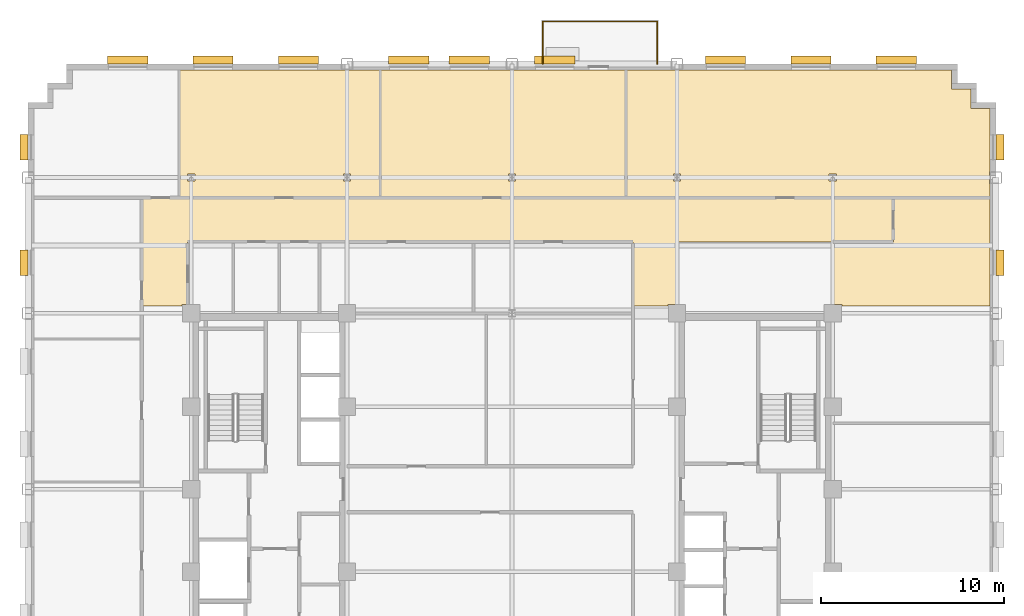
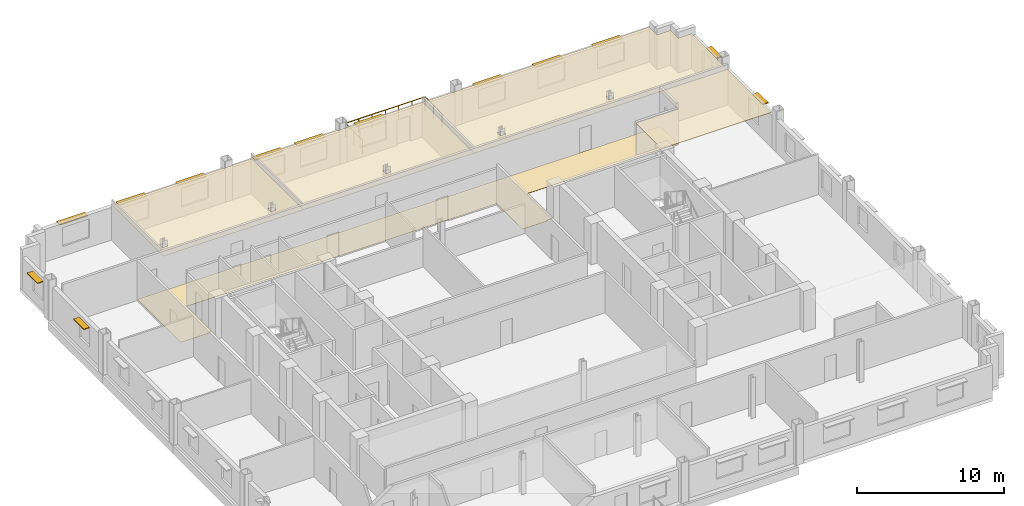
# One storey, part 14 of 14: 13 shading devices, 5 coverings, 1 railing.
"""IFC4 building model written with IfcOpenShell, lengths in metres."""

from ifc_helpers import new_model, si_unit, direction, frame, origin, origin_2d, place, context, subcontext, project, spatial, polyline, rectangle, circle, outline, extrude, source, transform, mapped, material, layer, layer_set, type_object, type_shapes, element, save


model = new_model("IFC4")

# Units and contexts
model_context = context("Model", 3, precision=1e-05, world=origin(), true_north=direction((0.0, 1.0)))
body_context = subcontext(model_context, "Body", "Model", "MODEL_VIEW")
ifc_project = project(units=[si_unit("LENGTHUNIT", "METRE"), si_unit("AREAUNIT", "SQUARE_METRE"), si_unit("VOLUMEUNIT", "CUBIC_METRE"), si_unit("PLANEANGLEUNIT", "RADIAN"), si_unit("MASSUNIT", "GRAM", prefix="KILO")], contexts=[model_context])

# Site, building, storey
site_placement = place(None, origin())
site = spatial("IfcSite", under=ifc_project, at=site_placement, CompositionType="ELEMENT")
building_placement = place(site_placement, origin())
building = spatial("IfcBuilding", under=site, at=building_placement, Name="Nuvemarco Arch Tower", CompositionType="ELEMENT")
storey_placement = place(building_placement, frame((0.0, 0.0, 160.35009765625)))
storey = spatial("IfcBuildingStorey", under=building, at=storey_placement, Name="L42", CompositionType="ELEMENT", Elevation=160.35009765625)

# Coverings
ifc_material_1 = material(Name="Mineral acoustic ceiling tile")
ifc_layer_1 = layer(ifc_material_1, 0.0400390625, Name="COV-ACOUSTIC-CLG")
ifc_layer_set_1 = layer_set([ifc_layer_1], Name="Mineral acoustic ceiling tile")
covering_type_1 = type_object("IfcCoveringType", Name="COV-ACOUSTIC-CLG", PredefinedType="CEILING", material=ifc_layer_set_1)
covering_1_placement = place(storey_placement, frame((0.0, 0.0, 2.849853515625)))
element("IfcCovering", 1, at=covering_1_placement, inside=storey, type_object=covering_type_1, Name="L42 suspended acoustic ceiling 2", PredefinedType="CEILING", context=body_context, shape_type="SweptSolid", body=[
    extrude(outline(polyline([(26.080078125, 20.780029296875), (26.080078125, 17.340087890625), (26.06005859375, 17.340087890625), (26.06005859375, 16.659912109375), (26.080078125, 16.659912109375), (26.080078125, 15.89990234375), (20.800048828125, 15.89990234375), (9.0, 15.89990234375), (6.60009765625, 15.89990234375), (6.22998046875, 15.89990234375), (6.22998046875, 22.8798828125), (8.659912109375, 22.8798828125), (8.659912109375, 22.860107421875), (9.340087890625, 22.860107421875), (9.340087890625, 22.8798828125), (23.97998046875, 22.8798828125), (23.97998046875, 21.830078125), (25.030029296875, 21.830078125), (25.030029296875, 20.780029296875), (26.080078125, 20.780029296875)]), holes=[polyline([(9.195068359375, 17.195068359375), (8.804931640625, 17.195068359375), (8.804931640625, 16.804931640625), (9.195068359375, 16.804931640625), (9.195068359375, 17.195068359375)]), polyline([(17.695068359375, 16.804931640625), (17.695068359375, 17.195068359375), (17.304931640625, 17.195068359375), (17.304931640625, 16.804931640625), (17.695068359375, 16.804931640625)])]), origin(), (0.0, 0.0, 1.0), 0.0400390625),
])
covering_2_placement = place(storey_placement, frame((0.0, 0.0, 2.849853515625)))
element("IfcCovering", 2, at=covering_2_placement, inside=storey, type_object=covering_type_1, Name="L42 suspended acoustic ceiling 3", PredefinedType="CEILING", context=body_context, shape_type="SweptSolid", body=[
    extrude(outline(polyline([(17.989990234375, 10.090087890625), (17.5, 10.090087890625), (17.5, 13.5), (20.800048828125, 13.5), (20.800048828125, 15.89990234375), (26.080078125, 15.89990234375), (26.080078125, 10.0), (17.989990234375, 10.0), (17.989990234375, 10.090087890625)])), origin(), (0.0, 0.0, 1.0), 0.0400390625),
])
covering_3_placement = place(storey_placement, frame((0.0, 0.0, 2.849853515625)))
element("IfcCovering", 3, at=covering_3_placement, inside=storey, type_object=covering_type_1, Name="L42 suspended acoustic ceiling 5", PredefinedType="CEILING", context=body_context, shape_type="SweptSolid", body=[
    extrude(outline(polyline([(6.22998046875, 15.89990234375), (-7.179931640625, 15.89990234375), (-7.179931640625, 22.8798828125), (-0.340087890625, 22.8798828125), (-0.340087890625, 22.860107421875), (0.340087890625, 22.860107421875), (0.340087890625, 22.8798828125), (6.22998046875, 22.8798828125), (6.22998046875, 15.89990234375)]), holes=[polyline([(0.195068359375, 16.804931640625), (0.195068359375, 17.195068359375), (-0.195068359375, 17.195068359375), (-0.195068359375, 16.804931640625), (0.195068359375, 16.804931640625)])]), origin(), (0.0, 0.0, 1.0), 0.0400390625),
])
covering_4_placement = place(storey_placement, frame((0.0, 0.0, 2.849853515625)))
element("IfcCovering", 4, at=covering_4_placement, inside=storey, type_object=covering_type_1, Name="L42 suspended acoustic ceiling 6", PredefinedType="CEILING", context=body_context, shape_type="SweptSolid", body=[
    extrude(outline(polyline([(-9.340087890625, 22.860107421875), (-8.659912109375, 22.860107421875), (-8.659912109375, 22.8798828125), (-7.179931640625, 22.8798828125), (-7.179931640625, 15.89990234375), (-17.699951171875, 15.89990234375), (-18.14990234375, 15.89990234375), (-18.14990234375, 22.8798828125), (-9.340087890625, 22.8798828125), (-9.340087890625, 22.860107421875)]), holes=[polyline([(-17.304931640625, 16.804931640625), (-17.304931640625, 17.195068359375), (-17.695068359375, 17.195068359375), (-17.695068359375, 16.804931640625), (-17.304931640625, 16.804931640625)]), polyline([(-8.804931640625, 16.804931640625), (-8.804931640625, 17.195068359375), (-9.195068359375, 17.195068359375), (-9.195068359375, 16.804931640625), (-8.804931640625, 16.804931640625)])]), origin(), (0.0, 0.0, 1.0), 0.0400390625),
])
ifc_material_2 = material(Name="Polished granite terrazzostone flooring", Category="masonry")
ifc_layer_2 = layer(ifc_material_2, 0.02001953125, Name="COV-LOBBY-FLR")
ifc_layer_set_2 = layer_set([ifc_layer_2], Name="Polished granite terrazzostone flooring")
covering_type_2 = type_object("IfcCoveringType", Name="COV-LOBBY-FLR", PredefinedType="FLOORING", material=ifc_layer_set_2)
covering_5_placement = place(storey_placement, origin())
element("IfcCovering", 5, at=covering_5_placement, inside=storey, type_object=covering_type_2, Name="L42 polished terrazzo lobby flooring", PredefinedType="FLOORING", context=body_context, shape_type="SweptSolid", body=[
    extrude(outline(polyline([(-20.199951171875, 13.5), (-20.199951171875, 15.89990234375), (-17.699951171875, 15.89990234375), (6.60009765625, 15.89990234375), (9.0, 15.89990234375), (20.800048828125, 15.89990234375), (20.800048828125, 13.5), (9.0, 13.5), (9.0, 10.090087890625), (8.510009765625, 10.090087890625), (8.510009765625, 10.0), (6.60009765625, 10.0), (6.60009765625, 13.5), (-17.699951171875, 13.5), (-17.699951171875, 10.090087890625), (-17.989990234375, 10.090087890625), (-17.989990234375, 10.0), (-20.199951171875, 10.0), (-20.199951171875, 13.5)])), origin(), (0.0, 0.0, 1.0), 0.02001953125),
])

# Railing
ifc_material_3 = material(Name="Dark anodised balustrade steel S355", Category="steel")
railing_type = type_object("IfcRailingType", Name="RL-TERR-GUARD", PredefinedType="BALUSTRADE", material=ifc_material_3)
railing_placement = place(storey_placement, frame((1.679931640625, 23.199951171875, 0.0)))
element("IfcRailing", 6, at=railing_placement, inside=storey, type_object=railing_type, Name="L42 spiral terrace perimeter balustrade guard", PredefinedType="BALUSTRADE", context=body_context, shape_type="SweptSolid", body=[
    extrude(circle(Radius=0.02392578125, at=origin_2d()), frame((0.0, 0.0, 1.1259765625), z_axis=(0.0, 1.0, 0.0), x_axis=(-1.0, 0.0, 0.0)), (0.0, 0.0, 1.0), 2.320068359375),
    extrude(circle(Radius=0.02392578125, at=origin_2d()), frame((0.0, 2.320068359375, 1.1259765625), z_axis=(1.0, 0.0, 0.0), x_axis=(0.0, 1.0, 0.0)), (0.0, 0.0, 1.0), 6.239990234375),
    extrude(circle(Radius=0.02392578125, at=origin_2d()), frame((6.239990234375, 2.320068359375, 1.1259765625), z_axis=(0.0, -1.0, 0.0), x_axis=(1.0, 0.0, 0.0)), (0.0, 0.0, 1.0), 2.320068359375),
    extrude(circle(Radius=0.02099609375, at=origin_2d()), origin(), (0.0, 0.0, 1.0), 1.101806640625),
    extrude(circle(Radius=0.02099609375, at=origin_2d()), frame((0.0, 1.16015625, 0.0)), (0.0, 0.0, 1.0), 1.101806640625),
    extrude(circle(Radius=0.02099609375, at=origin_2d()), frame((0.0, 2.320068359375, 0.0)), (0.0, 0.0, 1.0), 1.101806640625),
    extrude(circle(Radius=0.02099609375, at=origin_2d()), frame((1.0400390625, 2.320068359375, 0.0)), (0.0, 0.0, 1.0), 1.101806640625),
    extrude(circle(Radius=0.02099609375, at=origin_2d()), frame((2.080078125, 2.320068359375, 0.0)), (0.0, 0.0, 1.0), 1.101806640625),
    extrude(circle(Radius=0.02099609375, at=origin_2d()), frame((3.1201171875, 2.320068359375, 0.0)), (0.0, 0.0, 1.0), 1.101806640625),
    extrude(circle(Radius=0.02099609375, at=origin_2d()), frame((4.159912109375, 2.320068359375, 0.0)), (0.0, 0.0, 1.0), 1.101806640625),
    extrude(circle(Radius=0.02099609375, at=origin_2d()), frame((5.199951171875, 2.320068359375, 0.0)), (0.0, 0.0, 1.0), 1.101806640625),
    extrude(circle(Radius=0.02099609375, at=origin_2d()), frame((6.239990234375, 2.320068359375, 0.0)), (0.0, 0.0, 1.0), 1.101806640625),
    extrude(circle(Radius=0.02099609375, at=origin_2d()), frame((6.239990234375, 1.16015625, 0.0)), (0.0, 0.0, 1.0), 1.101806640625),
    extrude(circle(Radius=0.02099609375, at=origin_2d()), frame((6.239990234375, 0.0, 0.0)), (0.0, 0.0, 1.0), 1.101806640625),
])

# Shading devices
ifc_material_4 = material(Name="Anodised aluminium 6063-T6", Category="aluminium")
shading_device_type_1 = type_object("IfcShadingDeviceType", Name="SHD-BRISE-SOLEIL", PredefinedType="USERDEFINED", material=ifc_material_4)
shared_shape_1 = source(origin(), body_context, "Body", "SweptSolid", [
    extrude(rectangle(XDim=2.199951171875, YDim=0.449951171875, at=origin_2d()), origin(), (0.0, 0.0, 1.0), 0.080078125),
])
type_shapes(shading_device_type_1, [shared_shape_1])
for number, where, z_axis, x_axis, name in (
    (7, (-20.969970703125, 23.4150390625, 2.36474609375), (0.0, 0.0, 1.0), (1.0, 0.0, 0.0), "L42 horizontal brise-soleil sunshade"),
    (8, (-16.31005859375, 23.4150390625, 2.36474609375), (0.0, 0.0, 1.0), (1.0, 0.0, 0.0), "L42 horizontal brise-soleil sunshade"),
    (9, (-11.64990234375, 23.4150390625, 2.36474609375), (0.0, 0.0, 1.0), (1.0, 0.0, 0.0), "L42 horizontal brise-soleil sunshade"),
    (10, (-5.639892578125, 23.4150390625, 2.36474609375), (0.0, 0.0, 1.0), (1.0, 0.0, 0.0), "L42 horizontal brise-soleil sunshade"),
    (11, (-2.330078125, 23.4150390625, 2.36474609375), (0.0, 0.0, 1.0), (1.0, 0.0, 0.0), "L42 horizontal brise-soleil sunshade"),
    (12, (2.330078125, 23.4150390625, 2.36474609375), (0.0, 0.0, 1.0), (1.0, 0.0, 0.0), "L42 horizontal brise-soleil sunshade"),
    (13, (11.64990234375, 23.4150390625, 2.36474609375), (0.0, 0.0, 1.0), (1.0, 0.0, 0.0), "L42 horizontal brise-soleil sunshade"),
    (14, (16.31005859375, 23.4150390625, 2.36474609375), (0.0, 0.0, 1.0), (1.0, 0.0, 0.0), "L42 horizontal brise-soleil sunshade"),
    (15, (20.969970703125, 23.4150390625, 2.36474609375), (0.0, 0.0, 1.0), (1.0, 0.0, 0.0), "L42 horizontal brise-soleil sunshade"),
):
    element("IfcShadingDevice", number, at=place(storey_placement, frame(where, z_axis=z_axis, x_axis=x_axis)), inside=storey, type_object=shading_device_type_1, Name=name, ObjectType="SUNSHADE", PredefinedType="USERDEFINED", context=body_context, shape_type="MappedRepresentation", body=[
        mapped(shared_shape_1, transform((0.0, 0.0, 0.0), scale=1.0)),
    ])
shading_device_type_2 = type_object("IfcShadingDeviceType", Name="SHD-BRISE-NARROW", PredefinedType="USERDEFINED", material=ifc_material_4)
shared_shape_2 = source(origin(), body_context, "Body", "SweptSolid", [
    extrude(rectangle(XDim=1.39990234375, YDim=0.449951171875, at=origin_2d()), origin(), (0.0, 0.0, 1.0), 0.080078125),
])
type_shapes(shading_device_type_2, [shared_shape_2])
for number, where, z_axis, x_axis, name in (
    (16, (26.614990234375, 12.364990234375, 2.36474609375), (0.0, 0.0, 1.0), (0.0, 1.0, 0.0), "L42 horizontal brise-soleil sunshade"),
    (17, (26.614990234375, 18.660888671875, 2.36474609375), (0.0, 0.0, 1.0), (0.0, 1.0, 0.0), "L42 horizontal brise-soleil sunshade"),
    (18, (-26.614990234375, 12.364990234375, 2.36474609375), (0.0, 0.0, 1.0), (0.0, 1.0, 0.0), "L42 horizontal brise-soleil sunshade"),
    (19, (-26.614990234375, 18.660888671875, 2.36474609375), (0.0, 0.0, 1.0), (0.0, 1.0, 0.0), "L42 horizontal brise-soleil sunshade"),
):
    element("IfcShadingDevice", number, at=place(storey_placement, frame(where, z_axis=z_axis, x_axis=x_axis)), inside=storey, type_object=shading_device_type_2, Name=name, ObjectType="SUNSHADE", PredefinedType="USERDEFINED", context=body_context, shape_type="MappedRepresentation", body=[
        mapped(shared_shape_2, transform((0.0, 0.0, 0.0), scale=1.0)),
    ])

save(model, "model.ifc")
